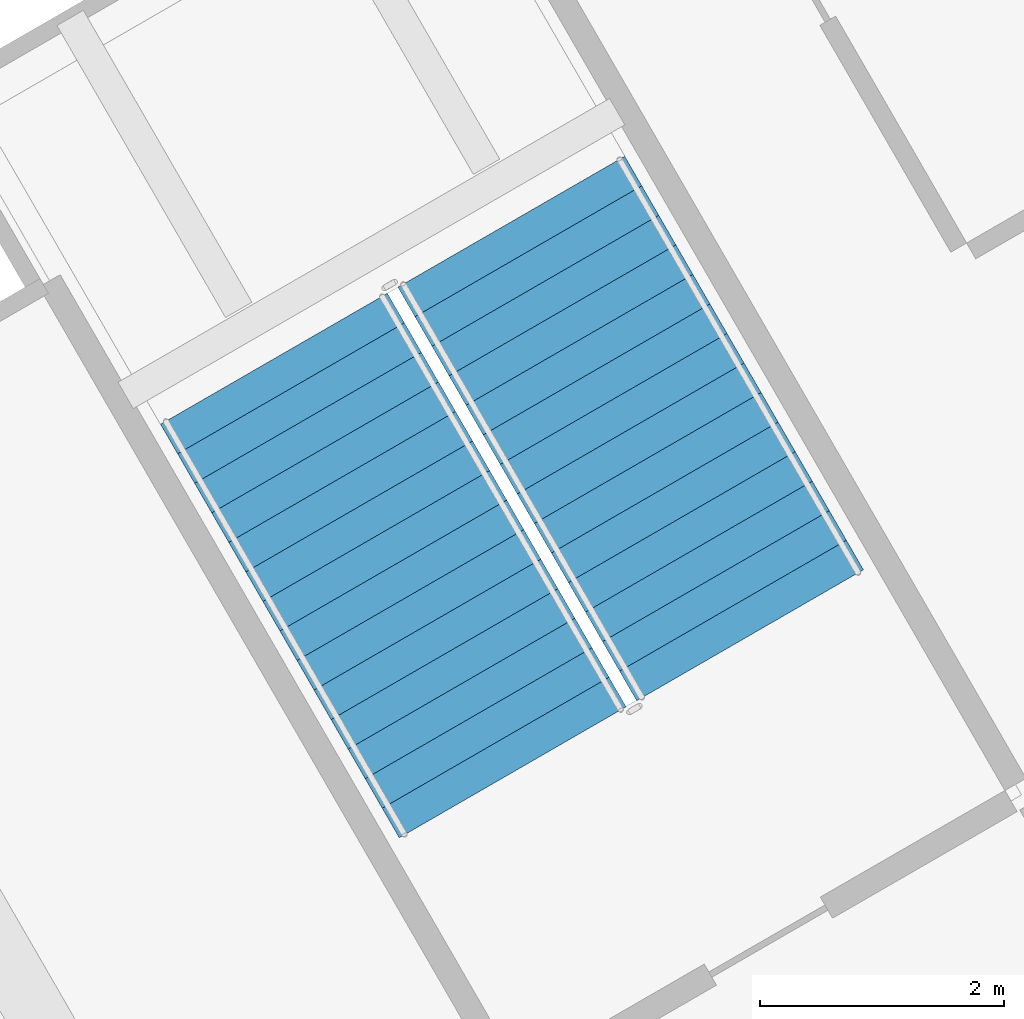
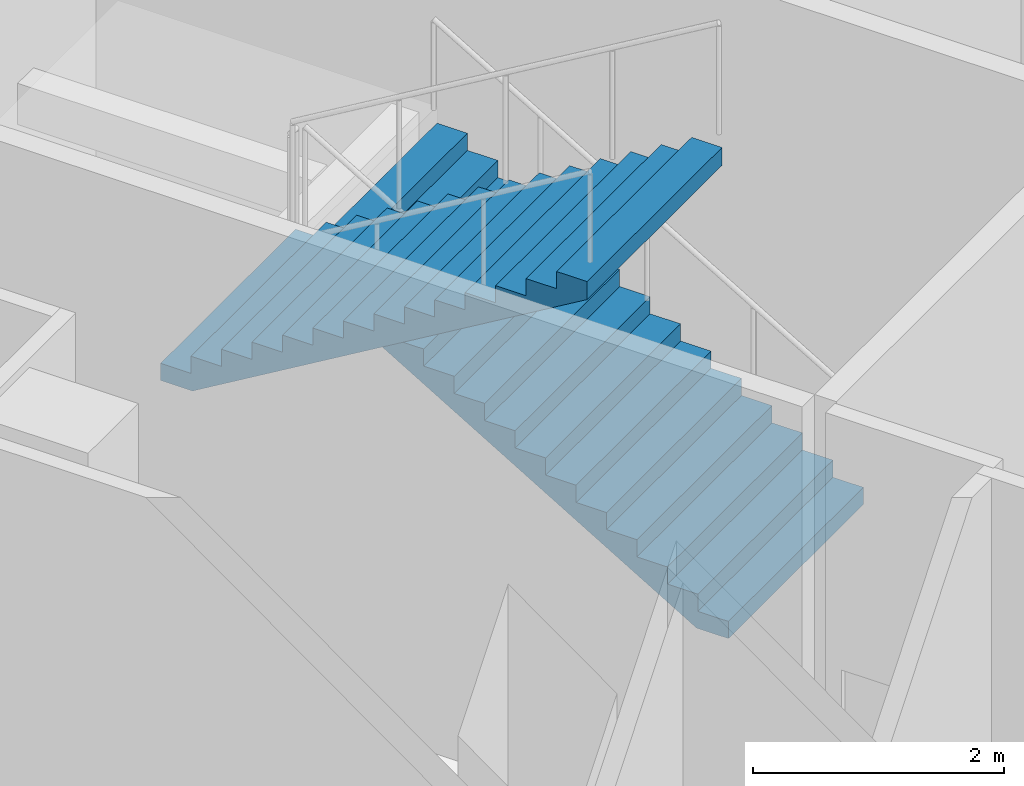
# One storey, part 10 of 24: 2 stair flights, 1 element without a shape of its own.
"""IFC4 building model written with IfcOpenShell, lengths in metres."""

from ifc_helpers import new_model, si_unit, direction, frame, origin, place, context, subcontext, project, spatial, triangles, material, type_object, element, aggregate, save


model = new_model("IFC4")

# Units and contexts
model_context = context("Model", 3, precision=1e-05, world=origin(), true_north=direction((0.0, 1.0)))
body_context = subcontext(model_context, "Body", "Model", "MODEL_VIEW")
ifc_project = project(units=[si_unit("LENGTHUNIT", "METRE"), si_unit("AREAUNIT", "SQUARE_METRE"), si_unit("VOLUMEUNIT", "CUBIC_METRE"), si_unit("PLANEANGLEUNIT", "RADIAN"), si_unit("MASSUNIT", "GRAM", prefix="KILO")], contexts=[model_context])

# Site, building, storey
site_placement = place(None, origin())
site = spatial("IfcSite", under=ifc_project, at=site_placement, CompositionType="ELEMENT")
building_placement = place(site_placement, origin())
building = spatial("IfcBuilding", under=site, at=building_placement, Name="Verdalira Terraces Hotel", CompositionType="ELEMENT")
storey_placement = place(building_placement, frame((0.0, 0.0, 14.0)))
storey = spatial("IfcBuildingStorey", under=building, at=storey_placement, Name="L02", CompositionType="ELEMENT", Elevation=14.0)

# Stair, stair flights
ifc_material_1 = material(Name="Concrete C40", Category="concrete")
stair_type = type_object("IfcStairType", Name="Podium stair 30 risers", PredefinedType="HALF_TURN_STAIR", material=ifc_material_1)
stair_placement = place(storey_placement, origin())
stair = element("IfcStair", 1, at=stair_placement, inside=storey, type_object=stair_type, Name="L02 Exit stair PS2", PredefinedType="HALF_TURN_STAIR")
ifc_material_2 = material(Name="Concrete C40", Category="concrete")
stair_flight_type = type_object("IfcStairFlightType", Name="Podium stair flight 30 risers", PredefinedType="STRAIGHT", material=ifc_material_2)
stair_flight_1_placement = place(storey_placement, frame((-27.056396, -16.487061, 0.0), z_axis=(0.0, 0.0, 1.0), x_axis=(-0.5, 0.866025404, 0.0)))
stair_flight_1 = element("IfcStairFlight", 2, at=stair_flight_1_placement, type_object=stair_flight_type, Name="PS2 flight 1", NumberOfRisers=15, NumberOfTreads=14, PredefinedType="STRAIGHT", RiserHeight=0.166666667, TreadLength=0.28, context=body_context, shape_type="Tessellation", body=[
    triangles([(0.0, 1.074951, 0.0), (0.292969, 1.074951, 0.0), (3.919922, 1.074951, 2.158936), (0.0, -1.074951, 0.0), (0.292969, -1.074951, 0.0), (3.919922, -1.074951, 2.158936), (3.919922, 1.074951, 2.333252), (3.639893, 1.074951, 2.333252), (3.919922, -1.074951, 2.333252), (3.639893, -1.074951, 2.333252), (3.639893, 1.074951, 2.166748), (3.639893, -1.074951, 2.166748), (3.360107, 1.074951, 2.166748), (3.360107, -1.074951, 2.166748), (3.360107, 1.074951, 2.0), (3.360107, -1.074951, 2.0), (3.080078, 1.074951, 2.0), (3.080078, 1.074951, 1.833252), (3.080078, -1.074951, 2.0), (3.080078, -1.074951, 1.833252), (2.800049, 1.074951, 1.833252), (2.800049, 1.074951, 1.666748), (2.800049, -1.074951, 1.833252), (2.800049, -1.074951, 1.666748), (2.52002, 1.074951, 1.666748), (2.52002, 1.074951, 1.5), (2.52002, -1.074951, 1.666748), (2.52002, -1.074951, 1.5), (2.23999, 1.074951, 1.5), (2.23999, 1.074951, 1.333252), (2.23999, -1.074951, 1.5), (2.23999, -1.074951, 1.333252), (1.959961, 1.074951, 1.333252), (1.959961, 1.074951, 1.166748), (1.959961, -1.074951, 1.333252), (1.959961, -1.074951, 1.166748), (1.679932, 1.074951, 1.166748), (1.679932, 1.074951, 1.0), (1.679932, -1.074951, 1.166748), (1.679932, -1.074951, 1.0), (1.399902, 1.074951, 1.0), (1.399902, 1.074951, 0.833252), (1.399902, -1.074951, 1.0), (1.399902, -1.074951, 0.833252), (1.120117, 1.074951, 0.833252), (1.120117, 1.074951, 0.666748), (1.120117, -1.074951, 0.833252), (1.120117, -1.074951, 0.666748), (0.840088, 1.074951, 0.666748), (0.840088, 1.074951, 0.5), (0.840088, -1.074951, 0.666748), (0.840088, -1.074951, 0.5), (0.560059, 1.074951, 0.5), (0.560059, 1.074951, 0.333252), (0.560059, -1.074951, 0.5), (0.560059, -1.074951, 0.333252), (0.280029, 1.074951, 0.333252), (0.280029, 1.074951, 0.166748), (0.280029, -1.074951, 0.333252), (0.280029, -1.074951, 0.166748), (0.0, 1.074951, 0.166748), (0.0, -1.074951, 0.166748), (0.0, -1.007767, 0.0), (0.0, -1.007767, 0.166748), (0.0, -0.940582, 0.0), (0.0, -0.940582, 0.166748), (0.0, -0.873398, 0.0), (0.0, -0.873398, 0.166748), (0.0, -0.806213, 0.0), (0.0, -0.806213, 0.166748), (0.0, -0.739029, 0.0), (0.0, -0.739029, 0.166748), (0.0, -0.671844, 0.0), (0.0, -0.671844, 0.166748), (0.0, -0.60466, 0.0), (0.0, -0.60466, 0.166748), (0.0, -0.537476, 0.0), (0.0, -0.537476, 0.166748), (0.0, -0.470291, 0.0), (0.0, -0.470291, 0.166748), (0.0, -0.403107, 0.0), (0.0, -0.403107, 0.166748), (0.0, -0.335922, 0.0), (0.0, -0.335922, 0.166748), (0.0, -0.268738, 0.0), (0.0, -0.268738, 0.166748), (0.0, -0.201553, 0.0), (0.0, -0.201553, 0.166748), (0.0, -0.134369, 0.0), (0.0, -0.134369, 0.166748), (0.0, -0.067184, 0.0), (0.0, -0.067184, 0.166748), (0.0, 0.0, 0.0), (0.0, 0.0, 0.166748), (0.0, 0.067184, 0.0), (0.0, 0.067184, 0.166748), (0.0, 0.134369, 0.0), (0.0, 0.134369, 0.166748), (0.0, 0.201553, 0.0), (0.0, 0.201553, 0.166748), (0.0, 0.268738, 0.0), (0.0, 0.268738, 0.166748), (0.0, 0.335922, 0.0), (0.0, 0.335922, 0.166748), (0.0, 0.403107, 0.0), (0.0, 0.403107, 0.166748), (0.0, 0.470291, 0.0), (0.0, 0.470291, 0.166748), (0.0, 0.537476, 0.0), (0.0, 0.537476, 0.166748), (0.0, 0.60466, 0.0), (0.0, 0.60466, 0.166748), (0.0, 0.671844, 0.0), (0.0, 0.671844, 0.166748), (0.0, 0.739029, 0.0), (0.0, 0.739029, 0.166748), (0.0, 0.806213, 0.0), (0.0, 0.806213, 0.166748), (0.0, 0.873398, 0.0), (0.0, 0.873398, 0.166748), (0.0, 0.940582, 0.0), (0.0, 0.940582, 0.166748), (0.0, 1.007767, 0.0), (0.0, 1.007767, 0.166748), (3.919922, -1.007767, 2.333252), (3.919922, -0.940582, 2.333252), (3.919922, -0.873398, 2.333252), (3.919922, -0.806213, 2.333252), (3.919922, -0.739029, 2.333252), (3.919922, -0.671844, 2.333252), (3.919922, -0.60466, 2.333252), (3.919922, -0.537476, 2.333252), (3.919922, -0.470291, 2.333252), (3.919922, -0.403107, 2.333252), (3.919922, -0.335922, 2.333252), (3.919922, -0.268738, 2.333252), (3.919922, -0.201553, 2.333252), (3.919922, -0.134369, 2.333252), (3.919922, -0.067184, 2.333252), (3.919922, 0.0, 2.333252), (3.919922, 0.067184, 2.333252), (3.919922, 0.134369, 2.333252), (3.919922, 0.201553, 2.333252), (3.919922, 0.268738, 2.333252), (3.919922, 0.335922, 2.333252), (3.919922, 0.403107, 2.333252), (3.919922, 0.470291, 2.333252), (3.919922, 0.537476, 2.333252), (3.919922, 0.60466, 2.333252), (3.919922, 0.671844, 2.333252), (3.919922, 0.739029, 2.333252), (3.919922, 0.806213, 2.333252), (3.919922, 0.873398, 2.333252), (3.919922, 0.940582, 2.333252), (3.919922, 1.007767, 2.333252), (3.919922, -1.007767, 2.158936), (3.919922, -0.940582, 2.158936), (3.919922, -0.873398, 2.158936), (3.919922, -0.806213, 2.158936), (3.919922, -0.739029, 2.158936), (3.919922, -0.671844, 2.158936), (3.919922, -0.60466, 2.158936), (3.919922, -0.537476, 2.158936), (3.919922, -0.470291, 2.158936), (3.919922, -0.403107, 2.158936), (3.919922, -0.335922, 2.158936), (3.919922, -0.268738, 2.158936), (3.919922, -0.201553, 2.158936), (3.919922, -0.134369, 2.158936), (3.919922, -0.067184, 2.158936), (3.919922, 0.0, 2.158936), (3.919922, 0.067184, 2.158936), (3.919922, 0.134369, 2.158936), (3.919922, 0.201553, 2.158936), (3.919922, 0.268738, 2.158936), (3.919922, 0.335922, 2.158936), (3.919922, 0.403107, 2.158936), (3.919922, 0.470291, 2.158936), (3.919922, 0.537476, 2.158936), (3.919922, 0.60466, 2.158936), (3.919922, 0.671844, 2.158936), (3.919922, 0.739029, 2.158936), (3.919922, 0.806213, 2.158936), (3.919922, 0.873398, 2.158936), (3.919922, 0.940582, 2.158936), (3.919922, 1.007767, 2.158936)], [[1, 3, 2], [4, 5, 6], [3, 8, 7], [6, 9, 10], [3, 11, 8], [6, 10, 12], [3, 13, 11], [6, 12, 14], [3, 15, 13], [6, 14, 16], [15, 18, 17], [16, 19, 20], [3, 18, 15], [6, 16, 20], [18, 22, 21], [20, 23, 24], [3, 22, 18], [6, 20, 24], [22, 26, 25], [24, 27, 28], [3, 26, 22], [6, 24, 28], [26, 30, 29], [28, 31, 32], [3, 30, 26], [6, 28, 32], [30, 34, 33], [32, 35, 36], [3, 34, 30], [6, 32, 36], [34, 38, 37], [36, 39, 40], [3, 38, 34], [6, 36, 40], [38, 42, 41], [40, 43, 44], [3, 42, 38], [6, 40, 44], [42, 46, 45], [44, 47, 48], [3, 46, 42], [6, 44, 48], [46, 50, 49], [48, 51, 52], [3, 50, 46], [6, 48, 52], [50, 54, 53], [52, 55, 56], [3, 54, 50], [6, 52, 56], [1, 54, 3], [4, 6, 56], [54, 58, 57], [56, 59, 60], [1, 58, 54], [4, 56, 60], [58, 1, 61], [60, 62, 4], [4, 64, 63], [4, 62, 64], [63, 66, 65], [63, 64, 66], [65, 68, 67], [65, 66, 68], [67, 70, 69], [67, 68, 70], [69, 72, 71], [69, 70, 72], [71, 74, 73], [71, 72, 74], [73, 76, 75], [73, 74, 76], [75, 78, 77], [75, 76, 78], [77, 80, 79], [77, 78, 80], [79, 82, 81], [79, 80, 82], [81, 84, 83], [81, 82, 84], [83, 86, 85], [83, 84, 86], [85, 88, 87], [85, 86, 88], [87, 90, 89], [87, 88, 90], [89, 92, 91], [89, 90, 92], [91, 94, 93], [91, 92, 94], [93, 96, 95], [93, 94, 96], [95, 98, 97], [95, 96, 98], [97, 100, 99], [97, 98, 100], [99, 102, 101], [99, 100, 102], [101, 104, 103], [101, 102, 104], [103, 106, 105], [103, 104, 106], [105, 108, 107], [105, 106, 108], [107, 110, 109], [107, 108, 110], [109, 112, 111], [109, 110, 112], [111, 114, 113], [111, 112, 114], [113, 116, 115], [113, 114, 116], [115, 118, 117], [115, 116, 118], [117, 120, 119], [117, 118, 120], [119, 122, 121], [119, 120, 122], [121, 124, 123], [121, 122, 124], [123, 61, 1], [123, 124, 61], [62, 60, 64], [64, 60, 66], [66, 60, 68], [68, 60, 70], [70, 60, 72], [72, 60, 74], [74, 60, 76], [76, 60, 78], [78, 60, 80], [80, 60, 82], [82, 60, 84], [84, 60, 86], [86, 60, 88], [88, 60, 90], [90, 60, 92], [92, 60, 94], [94, 60, 96], [96, 60, 98], [98, 60, 100], [100, 60, 102], [102, 60, 104], [104, 60, 106], [106, 60, 108], [108, 60, 110], [110, 60, 112], [112, 60, 114], [114, 60, 116], [116, 60, 118], [118, 60, 120], [120, 60, 122], [122, 60, 124], [124, 60, 61], [61, 60, 58], [60, 57, 58], [60, 59, 57], [59, 54, 57], [59, 56, 54], [56, 53, 54], [56, 55, 53], [55, 50, 53], [55, 52, 50], [52, 49, 50], [52, 51, 49], [51, 46, 49], [51, 48, 46], [48, 45, 46], [48, 47, 45], [47, 42, 45], [47, 44, 42], [44, 41, 42], [44, 43, 41], [43, 38, 41], [43, 40, 38], [40, 37, 38], [40, 39, 37], [39, 34, 37], [39, 36, 34], [36, 33, 34], [36, 35, 33], [35, 30, 33], [35, 32, 30], [32, 29, 30], [32, 31, 29], [31, 26, 29], [31, 28, 26], [28, 25, 26], [28, 27, 25], [27, 22, 25], [27, 24, 22], [24, 21, 22], [24, 23, 21], [23, 18, 21], [23, 20, 18], [20, 17, 18], [20, 19, 17], [19, 15, 17], [19, 16, 15], [16, 13, 15], [16, 14, 13], [14, 11, 13], [14, 12, 11], [12, 8, 11], [12, 10, 8], [9, 125, 10], [125, 126, 10], [126, 127, 10], [127, 128, 10], [128, 129, 10], [129, 130, 10], [130, 131, 10], [131, 132, 10], [132, 133, 10], [133, 134, 10], [134, 135, 10], [135, 136, 10], [136, 137, 10], [137, 138, 10], [138, 139, 10], [139, 140, 10], [140, 141, 10], [141, 142, 10], [142, 143, 10], [143, 144, 10], [144, 145, 10], [145, 146, 10], [146, 147, 10], [147, 148, 10], [148, 149, 10], [149, 150, 10], [150, 151, 10], [151, 152, 10], [152, 153, 10], [153, 154, 10], [154, 155, 10], [155, 7, 10], [7, 8, 10], [9, 156, 125], [9, 6, 156], [125, 157, 126], [125, 156, 157], [126, 158, 127], [126, 157, 158], [127, 159, 128], [127, 158, 159], [128, 160, 129], [128, 159, 160], [129, 161, 130], [129, 160, 161], [130, 162, 131], [130, 161, 162], [131, 163, 132], [131, 162, 163], [132, 164, 133], [132, 163, 164], [133, 165, 134], [133, 164, 165], [134, 166, 135], [134, 165, 166], [135, 167, 136], [135, 166, 167], [136, 168, 137], [136, 167, 168], [137, 169, 138], [137, 168, 169], [138, 170, 139], [138, 169, 170], [139, 171, 140], [139, 170, 171], [140, 172, 141], [140, 171, 172], [141, 173, 142], [141, 172, 173], [142, 174, 143], [142, 173, 174], [143, 175, 144], [143, 174, 175], [144, 176, 145], [144, 175, 176], [145, 177, 146], [145, 176, 177], [146, 178, 147], [146, 177, 178], [147, 179, 148], [147, 178, 179], [148, 180, 149], [148, 179, 180], [149, 181, 150], [149, 180, 181], [150, 182, 151], [150, 181, 182], [151, 183, 152], [151, 182, 183], [152, 184, 153], [152, 183, 184], [153, 185, 154], [153, 184, 185], [154, 186, 155], [154, 185, 186], [155, 3, 7], [155, 186, 3], [6, 5, 156], [156, 5, 157], [157, 5, 158], [158, 5, 159], [159, 5, 160], [160, 5, 161], [161, 5, 162], [162, 5, 163], [163, 5, 164], [164, 5, 165], [165, 5, 166], [166, 5, 167], [167, 5, 168], [168, 5, 169], [169, 5, 170], [170, 5, 171], [171, 5, 172], [172, 5, 173], [173, 5, 174], [174, 5, 175], [175, 5, 176], [176, 5, 177], [177, 5, 178], [178, 5, 179], [179, 5, 180], [180, 5, 181], [181, 5, 182], [182, 5, 183], [183, 5, 184], [184, 5, 185], [185, 5, 186], [186, 5, 3], [3, 5, 2], [4, 63, 5], [63, 65, 5], [65, 67, 5], [67, 69, 5], [69, 71, 5], [71, 73, 5], [73, 75, 5], [75, 77, 5], [77, 79, 5], [79, 81, 5], [81, 83, 5], [83, 85, 5], [85, 87, 5], [87, 89, 5], [89, 91, 5], [91, 93, 5], [93, 95, 5], [95, 97, 5], [97, 99, 5], [99, 101, 5], [101, 103, 5], [103, 105, 5], [105, 107, 5], [107, 109, 5], [109, 111, 5], [111, 113, 5], [113, 115, 5], [115, 117, 5], [117, 119, 5], [119, 121, 5], [121, 123, 5], [123, 1, 5], [1, 2, 5]], closed=True),
])
stair_flight_2_placement = place(storey_placement, frame((-30.964844, -14.217285, 2.5), z_axis=(0.0, 0.0, 1.0), x_axis=(0.5, -0.866025404, 0.0)))
stair_flight_2 = element("IfcStairFlight", 3, at=stair_flight_2_placement, type_object=stair_flight_type, Name="PS2 flight 2", NumberOfRisers=15, NumberOfTreads=14, PredefinedType="STRAIGHT", RiserHeight=0.166666667, TreadLength=0.28, context=body_context, shape_type="Tessellation", body=[
    triangles([(0.0, 1.074951, 0.0), (0.292969, 1.074951, 0.0), (3.919922, 1.074951, 2.158936), (0.0, -1.074951, 0.0), (0.292969, -1.074951, 0.0), (3.919922, -1.074951, 2.158936), (3.919922, 1.074951, 2.333252), (3.639893, 1.074951, 2.333252), (3.919922, -1.074951, 2.333252), (3.639893, -1.074951, 2.333252), (3.639893, 1.074951, 2.166748), (3.639893, -1.074951, 2.166748), (3.360107, 1.074951, 2.166748), (3.360107, -1.074951, 2.166748), (3.360107, 1.074951, 2.0), (3.360107, -1.074951, 2.0), (3.080078, 1.074951, 2.0), (3.080078, 1.074951, 1.833252), (3.080078, -1.074951, 2.0), (3.080078, -1.074951, 1.833252), (2.800049, 1.074951, 1.833252), (2.800049, 1.074951, 1.666748), (2.800049, -1.074951, 1.833252), (2.800049, -1.074951, 1.666748), (2.52002, 1.074951, 1.666748), (2.52002, 1.074951, 1.5), (2.52002, -1.074951, 1.666748), (2.52002, -1.074951, 1.5), (2.23999, 1.074951, 1.5), (2.23999, 1.074951, 1.333252), (2.23999, -1.074951, 1.5), (2.23999, -1.074951, 1.333252), (1.959961, 1.074951, 1.333252), (1.959961, 1.074951, 1.166748), (1.959961, -1.074951, 1.333252), (1.959961, -1.074951, 1.166748), (1.679932, 1.074951, 1.166748), (1.679932, 1.074951, 1.0), (1.679932, -1.074951, 1.166748), (1.679932, -1.074951, 1.0), (1.399902, 1.074951, 1.0), (1.399902, 1.074951, 0.833252), (1.399902, -1.074951, 1.0), (1.399902, -1.074951, 0.833252), (1.120117, 1.074951, 0.833252), (1.120117, 1.074951, 0.666748), (1.120117, -1.074951, 0.833252), (1.120117, -1.074951, 0.666748), (0.840088, 1.074951, 0.666748), (0.840088, 1.074951, 0.5), (0.840088, -1.074951, 0.666748), (0.840088, -1.074951, 0.5), (0.560059, 1.074951, 0.5), (0.560059, 1.074951, 0.333252), (0.560059, -1.074951, 0.5), (0.560059, -1.074951, 0.333252), (0.280029, 1.074951, 0.333252), (0.280029, 1.074951, 0.166748), (0.280029, -1.074951, 0.333252), (0.280029, -1.074951, 0.166748), (0.0, 1.074951, 0.166748), (0.0, -1.074951, 0.166748), (0.0, -1.007767, 0.0), (0.0, -1.007767, 0.166748), (0.0, -0.940582, 0.0), (0.0, -0.940582, 0.166748), (0.0, -0.873398, 0.0), (0.0, -0.873398, 0.166748), (0.0, -0.806213, 0.0), (0.0, -0.806213, 0.166748), (0.0, -0.739029, 0.0), (0.0, -0.739029, 0.166748), (0.0, -0.671844, 0.0), (0.0, -0.671844, 0.166748), (0.0, -0.60466, 0.0), (0.0, -0.60466, 0.166748), (0.0, -0.537476, 0.0), (0.0, -0.537476, 0.166748), (0.0, -0.470291, 0.0), (0.0, -0.470291, 0.166748), (0.0, -0.403107, 0.0), (0.0, -0.403107, 0.166748), (0.0, -0.335922, 0.0), (0.0, -0.335922, 0.166748), (0.0, -0.268738, 0.0), (0.0, -0.268738, 0.166748), (0.0, -0.201553, 0.0), (0.0, -0.201553, 0.166748), (0.0, -0.134369, 0.0), (0.0, -0.134369, 0.166748), (0.0, -0.067184, 0.0), (0.0, -0.067184, 0.166748), (0.0, 0.0, 0.0), (0.0, 0.0, 0.166748), (0.0, 0.067184, 0.0), (0.0, 0.067184, 0.166748), (0.0, 0.134369, 0.0), (0.0, 0.134369, 0.166748), (0.0, 0.201553, 0.0), (0.0, 0.201553, 0.166748), (0.0, 0.268738, 0.0), (0.0, 0.268738, 0.166748), (0.0, 0.335922, 0.0), (0.0, 0.335922, 0.166748), (0.0, 0.403107, 0.0), (0.0, 0.403107, 0.166748), (0.0, 0.470291, 0.0), (0.0, 0.470291, 0.166748), (0.0, 0.537476, 0.0), (0.0, 0.537476, 0.166748), (0.0, 0.60466, 0.0), (0.0, 0.60466, 0.166748), (0.0, 0.671844, 0.0), (0.0, 0.671844, 0.166748), (0.0, 0.739029, 0.0), (0.0, 0.739029, 0.166748), (0.0, 0.806213, 0.0), (0.0, 0.806213, 0.166748), (0.0, 0.873398, 0.0), (0.0, 0.873398, 0.166748), (0.0, 0.940582, 0.0), (0.0, 0.940582, 0.166748), (0.0, 1.007767, 0.0), (0.0, 1.007767, 0.166748), (3.919922, -1.007767, 2.333252), (3.919922, -0.940582, 2.333252), (3.919922, -0.873398, 2.333252), (3.919922, -0.806213, 2.333252), (3.919922, -0.739029, 2.333252), (3.919922, -0.671844, 2.333252), (3.919922, -0.60466, 2.333252), (3.919922, -0.537476, 2.333252), (3.919922, -0.470291, 2.333252), (3.919922, -0.403107, 2.333252), (3.919922, -0.335922, 2.333252), (3.919922, -0.268738, 2.333252), (3.919922, -0.201553, 2.333252), (3.919922, -0.134369, 2.333252), (3.919922, -0.067184, 2.333252), (3.919922, 0.0, 2.333252), (3.919922, 0.067184, 2.333252), (3.919922, 0.134369, 2.333252), (3.919922, 0.201553, 2.333252), (3.919922, 0.268738, 2.333252), (3.919922, 0.335922, 2.333252), (3.919922, 0.403107, 2.333252), (3.919922, 0.470291, 2.333252), (3.919922, 0.537476, 2.333252), (3.919922, 0.60466, 2.333252), (3.919922, 0.671844, 2.333252), (3.919922, 0.739029, 2.333252), (3.919922, 0.806213, 2.333252), (3.919922, 0.873398, 2.333252), (3.919922, 0.940582, 2.333252), (3.919922, 1.007767, 2.333252), (3.919922, -1.007767, 2.158936), (3.919922, -0.940582, 2.158936), (3.919922, -0.873398, 2.158936), (3.919922, -0.806213, 2.158936), (3.919922, -0.739029, 2.158936), (3.919922, -0.671844, 2.158936), (3.919922, -0.60466, 2.158936), (3.919922, -0.537476, 2.158936), (3.919922, -0.470291, 2.158936), (3.919922, -0.403107, 2.158936), (3.919922, -0.335922, 2.158936), (3.919922, -0.268738, 2.158936), (3.919922, -0.201553, 2.158936), (3.919922, -0.134369, 2.158936), (3.919922, -0.067184, 2.158936), (3.919922, 0.0, 2.158936), (3.919922, 0.067184, 2.158936), (3.919922, 0.134369, 2.158936), (3.919922, 0.201553, 2.158936), (3.919922, 0.268738, 2.158936), (3.919922, 0.335922, 2.158936), (3.919922, 0.403107, 2.158936), (3.919922, 0.470291, 2.158936), (3.919922, 0.537476, 2.158936), (3.919922, 0.60466, 2.158936), (3.919922, 0.671844, 2.158936), (3.919922, 0.739029, 2.158936), (3.919922, 0.806213, 2.158936), (3.919922, 0.873398, 2.158936), (3.919922, 0.940582, 2.158936), (3.919922, 1.007767, 2.158936)], [[1, 3, 2], [4, 5, 6], [3, 8, 7], [6, 9, 10], [3, 11, 8], [6, 10, 12], [3, 13, 11], [6, 12, 14], [3, 15, 13], [6, 14, 16], [15, 18, 17], [16, 19, 20], [3, 18, 15], [6, 16, 20], [18, 22, 21], [20, 23, 24], [3, 22, 18], [6, 20, 24], [22, 26, 25], [24, 27, 28], [3, 26, 22], [6, 24, 28], [26, 30, 29], [28, 31, 32], [3, 30, 26], [6, 28, 32], [30, 34, 33], [32, 35, 36], [3, 34, 30], [6, 32, 36], [34, 38, 37], [36, 39, 40], [3, 38, 34], [6, 36, 40], [38, 42, 41], [40, 43, 44], [3, 42, 38], [6, 40, 44], [42, 46, 45], [44, 47, 48], [3, 46, 42], [6, 44, 48], [46, 50, 49], [48, 51, 52], [3, 50, 46], [6, 48, 52], [50, 54, 53], [52, 55, 56], [3, 54, 50], [6, 52, 56], [1, 54, 3], [4, 6, 56], [54, 58, 57], [56, 59, 60], [1, 58, 54], [4, 56, 60], [58, 1, 61], [60, 62, 4], [4, 64, 63], [4, 62, 64], [63, 66, 65], [63, 64, 66], [65, 68, 67], [65, 66, 68], [67, 70, 69], [67, 68, 70], [69, 72, 71], [69, 70, 72], [71, 74, 73], [71, 72, 74], [73, 76, 75], [73, 74, 76], [75, 78, 77], [75, 76, 78], [77, 80, 79], [77, 78, 80], [79, 82, 81], [79, 80, 82], [81, 84, 83], [81, 82, 84], [83, 86, 85], [83, 84, 86], [85, 88, 87], [85, 86, 88], [87, 90, 89], [87, 88, 90], [89, 92, 91], [89, 90, 92], [91, 94, 93], [91, 92, 94], [93, 96, 95], [93, 94, 96], [95, 98, 97], [95, 96, 98], [97, 100, 99], [97, 98, 100], [99, 102, 101], [99, 100, 102], [101, 104, 103], [101, 102, 104], [103, 106, 105], [103, 104, 106], [105, 108, 107], [105, 106, 108], [107, 110, 109], [107, 108, 110], [109, 112, 111], [109, 110, 112], [111, 114, 113], [111, 112, 114], [113, 116, 115], [113, 114, 116], [115, 118, 117], [115, 116, 118], [117, 120, 119], [117, 118, 120], [119, 122, 121], [119, 120, 122], [121, 124, 123], [121, 122, 124], [123, 61, 1], [123, 124, 61], [62, 60, 64], [64, 60, 66], [66, 60, 68], [68, 60, 70], [70, 60, 72], [72, 60, 74], [74, 60, 76], [76, 60, 78], [78, 60, 80], [80, 60, 82], [82, 60, 84], [84, 60, 86], [86, 60, 88], [88, 60, 90], [90, 60, 92], [92, 60, 94], [94, 60, 96], [96, 60, 98], [98, 60, 100], [100, 60, 102], [102, 60, 104], [104, 60, 106], [106, 60, 108], [108, 60, 110], [110, 60, 112], [112, 60, 114], [114, 60, 116], [116, 60, 118], [118, 60, 120], [120, 60, 122], [122, 60, 124], [124, 60, 61], [61, 60, 58], [60, 57, 58], [60, 59, 57], [59, 54, 57], [59, 56, 54], [56, 53, 54], [56, 55, 53], [55, 50, 53], [55, 52, 50], [52, 49, 50], [52, 51, 49], [51, 46, 49], [51, 48, 46], [48, 45, 46], [48, 47, 45], [47, 42, 45], [47, 44, 42], [44, 41, 42], [44, 43, 41], [43, 38, 41], [43, 40, 38], [40, 37, 38], [40, 39, 37], [39, 34, 37], [39, 36, 34], [36, 33, 34], [36, 35, 33], [35, 30, 33], [35, 32, 30], [32, 29, 30], [32, 31, 29], [31, 26, 29], [31, 28, 26], [28, 25, 26], [28, 27, 25], [27, 22, 25], [27, 24, 22], [24, 21, 22], [24, 23, 21], [23, 18, 21], [23, 20, 18], [20, 17, 18], [20, 19, 17], [19, 15, 17], [19, 16, 15], [16, 13, 15], [16, 14, 13], [14, 11, 13], [14, 12, 11], [12, 8, 11], [12, 10, 8], [9, 125, 10], [125, 126, 10], [126, 127, 10], [127, 128, 10], [128, 129, 10], [129, 130, 10], [130, 131, 10], [131, 132, 10], [132, 133, 10], [133, 134, 10], [134, 135, 10], [135, 136, 10], [136, 137, 10], [137, 138, 10], [138, 139, 10], [139, 140, 10], [140, 141, 10], [141, 142, 10], [142, 143, 10], [143, 144, 10], [144, 145, 10], [145, 146, 10], [146, 147, 10], [147, 148, 10], [148, 149, 10], [149, 150, 10], [150, 151, 10], [151, 152, 10], [152, 153, 10], [153, 154, 10], [154, 155, 10], [155, 7, 10], [7, 8, 10], [9, 156, 125], [9, 6, 156], [125, 157, 126], [125, 156, 157], [126, 158, 127], [126, 157, 158], [127, 159, 128], [127, 158, 159], [128, 160, 129], [128, 159, 160], [129, 161, 130], [129, 160, 161], [130, 162, 131], [130, 161, 162], [131, 163, 132], [131, 162, 163], [132, 164, 133], [132, 163, 164], [133, 165, 134], [133, 164, 165], [134, 166, 135], [134, 165, 166], [135, 167, 136], [135, 166, 167], [136, 168, 137], [136, 167, 168], [137, 169, 138], [137, 168, 169], [138, 170, 139], [138, 169, 170], [139, 171, 140], [139, 170, 171], [140, 172, 141], [140, 171, 172], [141, 173, 142], [141, 172, 173], [142, 174, 143], [142, 173, 174], [143, 175, 144], [143, 174, 175], [144, 176, 145], [144, 175, 176], [145, 177, 146], [145, 176, 177], [146, 178, 147], [146, 177, 178], [147, 179, 148], [147, 178, 179], [148, 180, 149], [148, 179, 180], [149, 181, 150], [149, 180, 181], [150, 182, 151], [150, 181, 182], [151, 183, 152], [151, 182, 183], [152, 184, 153], [152, 183, 184], [153, 185, 154], [153, 184, 185], [154, 186, 155], [154, 185, 186], [155, 3, 7], [155, 186, 3], [6, 5, 156], [156, 5, 157], [157, 5, 158], [158, 5, 159], [159, 5, 160], [160, 5, 161], [161, 5, 162], [162, 5, 163], [163, 5, 164], [164, 5, 165], [165, 5, 166], [166, 5, 167], [167, 5, 168], [168, 5, 169], [169, 5, 170], [170, 5, 171], [171, 5, 172], [172, 5, 173], [173, 5, 174], [174, 5, 175], [175, 5, 176], [176, 5, 177], [177, 5, 178], [178, 5, 179], [179, 5, 180], [180, 5, 181], [181, 5, 182], [182, 5, 183], [183, 5, 184], [184, 5, 185], [185, 5, 186], [186, 5, 3], [3, 5, 2], [4, 63, 5], [63, 65, 5], [65, 67, 5], [67, 69, 5], [69, 71, 5], [71, 73, 5], [73, 75, 5], [75, 77, 5], [77, 79, 5], [79, 81, 5], [81, 83, 5], [83, 85, 5], [85, 87, 5], [87, 89, 5], [89, 91, 5], [91, 93, 5], [93, 95, 5], [95, 97, 5], [97, 99, 5], [99, 101, 5], [101, 103, 5], [103, 105, 5], [105, 107, 5], [107, 109, 5], [109, 111, 5], [111, 113, 5], [113, 115, 5], [115, 117, 5], [117, 119, 5], [119, 121, 5], [121, 123, 5], [123, 1, 5], [1, 2, 5]], closed=True),
])
aggregate(stair, [stair_flight_1, stair_flight_2])

save(model, "model.ifc")
